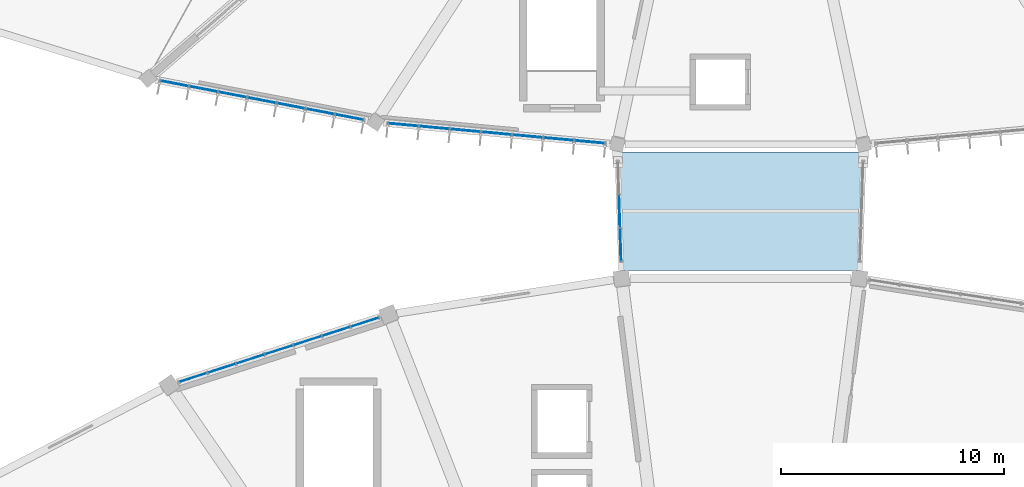
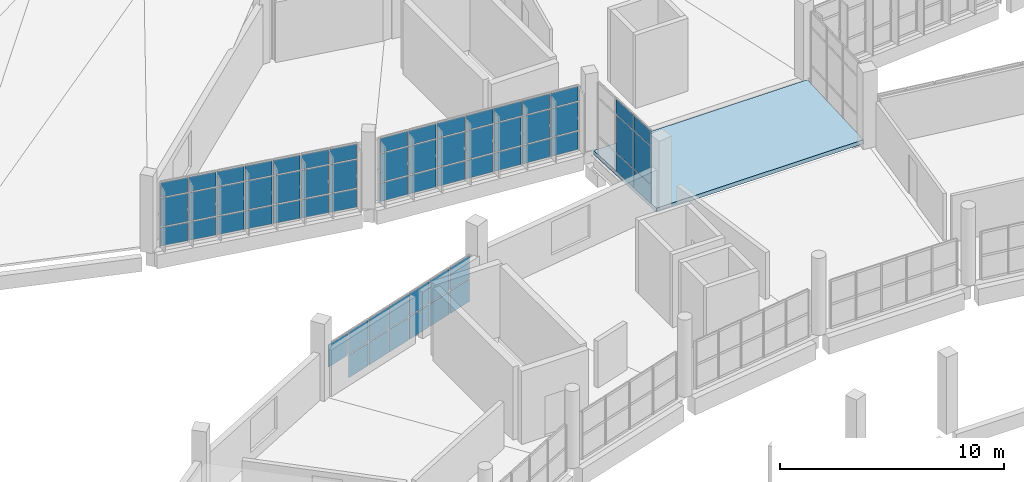
# One storey, part 81 of 142: 61 plates, 1 slab, 4 elements without a shape of their own.
"""IFC4 building model written with IfcOpenShell, lengths in metres."""

from ifc_helpers import new_model, si_unit, direction, frame, origin, origin_2d, place, context, subcontext, project, spatial, polyline, rectangle, outline, extrude, material, layer, layer_set, type_object, element, aggregate, save


model = new_model("IFC4")

# Units and contexts
model_context = context("Model", 3, precision=1e-05, world=origin(), true_north=direction((0.0, 1.0)))
body_context = subcontext(model_context, "Body", "Model", "MODEL_VIEW")
ifc_project = project(units=[si_unit("LENGTHUNIT", "METRE"), si_unit("AREAUNIT", "SQUARE_METRE"), si_unit("VOLUMEUNIT", "CUBIC_METRE"), si_unit("PLANEANGLEUNIT", "RADIAN"), si_unit("MASSUNIT", "GRAM", prefix="KILO")], contexts=[model_context])

# Site, building, storey
site_placement = place(None, origin())
site = spatial("IfcSite", under=ifc_project, at=site_placement, CompositionType="ELEMENT")
building_placement = place(site_placement, origin())
building = spatial("IfcBuilding", under=site, at=building_placement, Name="Corvandel Quay Wholesale Market", CompositionType="ELEMENT")
storey_placement = place(building_placement, frame((0.0, 0.0, 10.800048828125)))
storey = spatial("IfcBuildingStorey", under=building, at=storey_placement, Name="L02", CompositionType="ELEMENT", Elevation=10.800048828125)

# Curtain wall, plates
ifc_material_1 = material(Name="Bronze anodised aluminium and low-E insulated glazing", Category="aluminium")
ifc_layer_1 = layer(ifc_material_1, 0.197998046875)
ifc_layer_set_1 = layer_set([ifc_layer_1], Name="Bronze anodised aluminium and low-E insulated glazing")
curtain_wall_type_1 = type_object("IfcCurtainWallType", Name="Stick Curtain Wall System CW04 H3360", PredefinedType="NOTDEFINED", material=ifc_layer_set_1)
curtain_wall_1_placement = place(storey_placement, origin())
curtain_wall_1 = element("IfcCurtainWall", 1, at=curtain_wall_1_placement, inside=storey, type_object=curtain_wall_type_1, Name="Curtain Wall CW-0110", PredefinedType="NOTDEFINED")
ifc_material_2 = material(Name="Solar-control low-E insulated glazing", Category="glass")
ifc_layer_2 = layer(ifc_material_2, 0.0400390625)
ifc_layer_set_2 = layer_set([ifc_layer_2], Name="Solar-control low-E insulated glazing")
plate_type_1 = type_object("IfcPlateType", Name="Ceramic Fritted Spandrel Panel PN03 40mm", PredefinedType="CURTAIN_PANEL", material=ifc_layer_set_2)
plate_1_placement = place(storey_placement, frame((88.656494140625, 92.731689453125, 2.679931640625), z_axis=(0.0, 0.0, 1.0), x_axis=(-0.981991701121, 0.188924055984, 0.0)))
plate_1 = element("IfcPlate", 2, at=plate_1_placement, type_object=plate_type_1, Name="Glazing Panel CW-0110-P00-2", PredefinedType="CURTAIN_PANEL", context=body_context, shape_type="SweptSolid", body=[
    extrude(rectangle(XDim=1.26318359375, YDim=0.0400390625, at=origin_2d()), origin(), (0.0, 0.0, 1.0), 0.7900390625),
])
plate_2_placement = place(storey_placement, frame((89.960693359375, 92.480712890625, 2.679931640625), z_axis=(0.0, 0.0, 1.0), x_axis=(-0.981991701121, 0.188924055984, 0.0)))
plate_2 = element("IfcPlate", 3, at=plate_2_placement, type_object=plate_type_1, Name="Glazing Panel CW-0110-P01-2", PredefinedType="CURTAIN_PANEL", context=body_context, shape_type="SweptSolid", body=[
    extrude(rectangle(XDim=1.26318359375, YDim=0.0400390625, at=origin_2d()), origin(), (0.0, 0.0, 1.0), 0.7900390625),
])
plate_3_placement = place(storey_placement, frame((91.26513671875, 92.22998046875, 2.679931640625), z_axis=(0.0, 0.0, 1.0), x_axis=(-0.981991701121, 0.188924055984, 0.0)))
plate_3 = element("IfcPlate", 4, at=plate_3_placement, type_object=plate_type_1, Name="Glazing Panel CW-0110-P02-2", PredefinedType="CURTAIN_PANEL", context=body_context, shape_type="SweptSolid", body=[
    extrude(rectangle(XDim=1.26318359375, YDim=0.0400390625, at=origin_2d()), origin(), (0.0, 0.0, 1.0), 0.7900390625),
])
plate_4_placement = place(storey_placement, frame((92.569580078125, 91.97900390625, 2.679931640625), z_axis=(0.0, 0.0, 1.0), x_axis=(-0.981991701121, 0.188924055984, 0.0)))
plate_4 = element("IfcPlate", 5, at=plate_4_placement, type_object=plate_type_1, Name="Glazing Panel CW-0110-P03-2", PredefinedType="CURTAIN_PANEL", context=body_context, shape_type="SweptSolid", body=[
    extrude(rectangle(XDim=1.26318359375, YDim=0.0400390625, at=origin_2d()), origin(), (0.0, 0.0, 1.0), 0.7900390625),
])
plate_5_placement = place(storey_placement, frame((93.873779296875, 91.72802734375, 2.679931640625), z_axis=(0.0, 0.0, 1.0), x_axis=(-0.981991701121, 0.188924055984, 0.0)))
plate_5 = element("IfcPlate", 6, at=plate_5_placement, type_object=plate_type_1, Name="Glazing Panel CW-0110-P04-2", PredefinedType="CURTAIN_PANEL", context=body_context, shape_type="SweptSolid", body=[
    extrude(rectangle(XDim=1.26318359375, YDim=0.0400390625, at=origin_2d()), origin(), (0.0, 0.0, 1.0), 0.7900390625),
])
plate_6_placement = place(storey_placement, frame((95.17822265625, 91.477294921875, 2.679931640625), z_axis=(0.0, 0.0, 1.0), x_axis=(-0.981991701121, 0.188924055984, 0.0)))
plate_6 = element("IfcPlate", 7, at=plate_6_placement, type_object=plate_type_1, Name="Glazing Panel CW-0110-P05-2", PredefinedType="CURTAIN_PANEL", context=body_context, shape_type="SweptSolid", body=[
    extrude(rectangle(XDim=1.26318359375, YDim=0.0400390625, at=origin_2d()), origin(), (0.0, 0.0, 1.0), 0.7900390625),
])
plate_7_placement = place(storey_placement, frame((96.482421875, 91.226318359375, 2.679931640625), z_axis=(0.0, 0.0, 1.0), x_axis=(-0.981991701121, 0.188924055984, 0.0)))
plate_7 = element("IfcPlate", 8, at=plate_7_placement, type_object=plate_type_1, Name="Glazing Panel CW-0110-P06-2", PredefinedType="CURTAIN_PANEL", context=body_context, shape_type="SweptSolid", body=[
    extrude(rectangle(XDim=1.26318359375, YDim=0.0400390625, at=origin_2d()), origin(), (0.0, 0.0, 1.0), 0.7900390625),
])

ifc_layer_3 = layer(ifc_material_1, 0.14990234375)
ifc_layer_set_3 = layer_set([ifc_layer_3], Name="Bronze anodised aluminium and low-E insulated glazing")
curtain_wall_type_2 = type_object("IfcCurtainWallType", Name="Stick Curtain Wall System CW05 H3450", PredefinedType="NOTDEFINED", material=ifc_layer_set_3)
curtain_wall_2_placement = place(storey_placement, origin())
curtain_wall_2 = element("IfcCurtainWall", 9, at=curtain_wall_2_placement, inside=storey, type_object=curtain_wall_type_2, Name="Curtain Wall CW-0113", PredefinedType="NOTDEFINED")
plate_8_placement = place(storey_placement, frame((98.898681640625, 90.885009765625, 2.679931640625), z_axis=(0.0, 0.0, 1.0), x_axis=(-0.995756880939, 0.092023008338, 0.0)))
plate_8 = element("IfcPlate", 10, at=plate_8_placement, type_object=plate_type_1, Name="Glazing Panel CW-0113-P00-2", PredefinedType="CURTAIN_PANEL", context=body_context, shape_type="SweptSolid", body=[
    extrude(rectangle(XDim=1.3330078125, YDim=0.0400390625, at=origin_2d()), origin(), (0.0, 0.0, 1.0), 0.7900390625),
])
plate_9_placement = place(storey_placement, frame((100.29052734375, 90.756591796875, 2.679931640625), z_axis=(0.0, 0.0, 1.0), x_axis=(-0.995756880939, 0.092023008338, 0.0)))
plate_9 = element("IfcPlate", 11, at=plate_9_placement, type_object=plate_type_1, Name="Glazing Panel CW-0113-P01-2", PredefinedType="CURTAIN_PANEL", context=body_context, shape_type="SweptSolid", body=[
    extrude(rectangle(XDim=1.3330078125, YDim=0.0400390625, at=origin_2d()), origin(), (0.0, 0.0, 1.0), 0.7900390625),
])
plate_10_placement = place(storey_placement, frame((101.6826171875, 90.6279296875, 2.679931640625), z_axis=(0.0, 0.0, 1.0), x_axis=(-0.995756880939, 0.092023008338, 0.0)))
plate_10 = element("IfcPlate", 12, at=plate_10_placement, type_object=plate_type_1, Name="Glazing Panel CW-0113-P02-2", PredefinedType="CURTAIN_PANEL", context=body_context, shape_type="SweptSolid", body=[
    extrude(rectangle(XDim=1.3330078125, YDim=0.0400390625, at=origin_2d()), origin(), (0.0, 0.0, 1.0), 0.7900390625),
])
plate_11_placement = place(storey_placement, frame((103.074462890625, 90.49951171875, 2.679931640625), z_axis=(0.0, 0.0, 1.0), x_axis=(-0.995756880939, 0.092023008338, 0.0)))
plate_11 = element("IfcPlate", 13, at=plate_11_placement, type_object=plate_type_1, Name="Glazing Panel CW-0113-P03-2", PredefinedType="CURTAIN_PANEL", context=body_context, shape_type="SweptSolid", body=[
    extrude(rectangle(XDim=1.3330078125, YDim=0.0400390625, at=origin_2d()), origin(), (0.0, 0.0, 1.0), 0.7900390625),
])
plate_12_placement = place(storey_placement, frame((104.46630859375, 90.37109375, 2.679931640625), z_axis=(0.0, 0.0, 1.0), x_axis=(-0.995756880939, 0.092023008338, 0.0)))
plate_12 = element("IfcPlate", 14, at=plate_12_placement, type_object=plate_type_1, Name="Glazing Panel CW-0113-P04-2", PredefinedType="CURTAIN_PANEL", context=body_context, shape_type="SweptSolid", body=[
    extrude(rectangle(XDim=1.3330078125, YDim=0.0400390625, at=origin_2d()), origin(), (0.0, 0.0, 1.0), 0.7900390625),
])
plate_13_placement = place(storey_placement, frame((105.8583984375, 90.242431640625, 2.679931640625), z_axis=(0.0, 0.0, 1.0), x_axis=(-0.995756880939, 0.092023008338, 0.0)))
plate_13 = element("IfcPlate", 15, at=plate_13_placement, type_object=plate_type_1, Name="Glazing Panel CW-0113-P05-2", PredefinedType="CURTAIN_PANEL", context=body_context, shape_type="SweptSolid", body=[
    extrude(rectangle(XDim=1.3330078125, YDim=0.0400390625, at=origin_2d()), origin(), (0.0, 0.0, 1.0), 0.7900390625),
])
plate_14_placement = place(storey_placement, frame((107.250244140625, 90.114013671875, 2.679931640625), z_axis=(0.0, 0.0, 1.0), x_axis=(-0.995756880939, 0.092023008338, 0.0)))
plate_14 = element("IfcPlate", 16, at=plate_14_placement, type_object=plate_type_1, Name="Glazing Panel CW-0113-P06-2", PredefinedType="CURTAIN_PANEL", context=body_context, shape_type="SweptSolid", body=[
    extrude(rectangle(XDim=1.3330078125, YDim=0.0400390625, at=origin_2d()), origin(), (0.0, 0.0, 1.0), 0.7900390625),
])

ifc_layer_4 = layer(ifc_material_1, 0.18603515625)
ifc_layer_set_4 = layer_set([ifc_layer_4], Name="Bronze anodised aluminium and low-E insulated glazing")
curtain_wall_type_3 = type_object("IfcCurtainWallType", Name="Stick Curtain Wall System CW23 H5070", PredefinedType="NOTDEFINED", material=ifc_layer_set_4)
curtain_wall_3_placement = place(storey_placement, origin())
curtain_wall_3 = element("IfcCurtainWall", 17, at=curtain_wall_3_placement, inside=storey, type_object=curtain_wall_type_3, Name="Curtain Wall CW-0170", PredefinedType="NOTDEFINED")
plate_15_placement = place(storey_placement, frame((108.63134765625, 85.513916015625, 3.1474609375), z_axis=(0.0, 0.0, 1.0), x_axis=(-0.032806302436, 0.999461728392, 0.0)))
plate_15 = element("IfcPlate", 18, at=plate_15_placement, type_object=plate_type_1, Name="Glazing Panel CW-0170-P00-2", PredefinedType="CURTAIN_PANEL", context=body_context, shape_type="SweptSolid", body=[
    extrude(rectangle(XDim=1.439453125, YDim=0.0400390625, at=origin_2d()), origin(), (0.0, 0.0, 1.0), 0.794921875),
])
plate_16_placement = place(storey_placement, frame((108.58203125, 87.012451171875, 3.1474609375), z_axis=(0.0, 0.0, 1.0), x_axis=(-0.032806302436, 0.999461728392, 0.0)))
plate_16 = element("IfcPlate", 19, at=plate_16_placement, type_object=plate_type_1, Name="Glazing Panel CW-0170-P01-2", PredefinedType="CURTAIN_PANEL", context=body_context, shape_type="SweptSolid", body=[
    extrude(rectangle(XDim=1.439453125, YDim=0.0400390625, at=origin_2d()), origin(), (0.0, 0.0, 1.0), 0.794921875),
])

# Slab
ifc_material_3 = material(Name="Precast concrete C45/55", Category="concrete")
ifc_layer_5 = layer(ifc_material_3, 0.219970703125)
ifc_layer_set_5 = layer_set([ifc_layer_5], Name="Precast concrete C45/55")
slab_type = type_object("IfcSlabType", Name="Composite Precast Office Floor Slab 220", PredefinedType="FLOOR", material=ifc_layer_set_5)
slab_placement = place(storey_placement, frame((0.0, 0.0, -0.219970703125)))
element("IfcSlab", 20, at=slab_placement, inside=storey, type_object=slab_type, Name="Slab SLB-0476", PredefinedType="FLOOR", context=body_context, shape_type="SweptSolid", body=[
    extrude(outline(polyline([(108.6689453125, 84.364990234375), (108.4951171875, 89.659912109375), (119.5048828125, 89.659912109375), (119.3310546875, 84.364990234375), (108.6689453125, 84.364990234375)])), origin(), (0.0, 0.0, 1.0), 0.219970703125),
])

# Curtain wall, plates
ifc_layer_6 = layer(ifc_material_1, 0.18603515625)
ifc_layer_set_6 = layer_set([ifc_layer_6], Name="Bronze anodised aluminium and low-E insulated glazing")
curtain_wall_type_4 = type_object("IfcCurtainWallType", Name="Stick Curtain Wall System CW18 H4620", PredefinedType="NOTDEFINED", material=ifc_layer_set_6)
curtain_wall_4_placement = place(storey_placement, origin())
curtain_wall_4 = element("IfcCurtainWall", 21, at=curtain_wall_4_placement, inside=storey, type_object=curtain_wall_type_4, Name="Curtain Wall CW-0027", PredefinedType="NOTDEFINED")
ifc_layer_7 = layer(ifc_material_2, 0.028076171875)
ifc_layer_set_7 = layer_set([ifc_layer_7], Name="Solar-control low-E insulated glazing")
plate_type_2 = type_object("IfcPlateType", Name="Double Low-E Vision Panel PN01 28mm", PredefinedType="CURTAIN_PANEL", material=ifc_layer_set_7)
plate_17_placement = place(storey_placement, frame((97.179931640625, 82.04150390625, 0.02978515625), z_axis=(0.0, 0.0, 1.0), x_axis=(0.951808747363, 0.306692204733, 0.0)))
plate_17 = element("IfcPlate", 22, at=plate_17_placement, type_object=plate_type_2, Name="Glazing Panel CW-0027-P00-0", PredefinedType="CURTAIN_PANEL", context=body_context, shape_type="SweptSolid", body=[
    extrude(rectangle(XDim=1.281494140625, YDim=0.028076171875, at=origin_2d()), origin(), (0.0, 0.0, 1.0), 1.215087890625),
])
plate_18_placement = place(storey_placement, frame((97.179931640625, 82.04150390625, 1.3046875), z_axis=(0.0, 0.0, 1.0), x_axis=(0.951808747363, 0.306692204733, 0.0)))
plate_18 = element("IfcPlate", 23, at=plate_18_placement, type_object=plate_type_2, Name="Glazing Panel CW-0027-P00-1", PredefinedType="CURTAIN_PANEL", context=body_context, shape_type="SweptSolid", body=[
    extrude(rectangle(XDim=1.281494140625, YDim=0.028076171875, at=origin_2d()), origin(), (0.0, 0.0, 1.0), 1.215087890625),
])
plate_19_placement = place(storey_placement, frame((95.898193359375, 81.628662109375, 0.02978515625), z_axis=(0.0, 0.0, 1.0), x_axis=(0.951808747363, 0.306692204733, 0.0)))
plate_19 = element("IfcPlate", 24, at=plate_19_placement, type_object=plate_type_2, Name="Glazing Panel CW-0027-P01-0", PredefinedType="CURTAIN_PANEL", context=body_context, shape_type="SweptSolid", body=[
    extrude(rectangle(XDim=1.281494140625, YDim=0.028076171875, at=origin_2d()), origin(), (0.0, 0.0, 1.0), 1.215087890625),
])
plate_20_placement = place(storey_placement, frame((95.898193359375, 81.628662109375, 1.3046875), z_axis=(0.0, 0.0, 1.0), x_axis=(0.951808747363, 0.306692204733, 0.0)))
plate_20 = element("IfcPlate", 25, at=plate_20_placement, type_object=plate_type_2, Name="Glazing Panel CW-0027-P01-1", PredefinedType="CURTAIN_PANEL", context=body_context, shape_type="SweptSolid", body=[
    extrude(rectangle(XDim=1.281494140625, YDim=0.028076171875, at=origin_2d()), origin(), (0.0, 0.0, 1.0), 1.215087890625),
])
plate_21_placement = place(storey_placement, frame((94.61669921875, 81.2158203125, 0.02978515625), z_axis=(0.0, 0.0, 1.0), x_axis=(0.951808747363, 0.306692204733, 0.0)))
plate_21 = element("IfcPlate", 26, at=plate_21_placement, type_object=plate_type_2, Name="Glazing Panel CW-0027-P02-0", PredefinedType="CURTAIN_PANEL", context=body_context, shape_type="SweptSolid", body=[
    extrude(rectangle(XDim=1.281494140625, YDim=0.028076171875, at=origin_2d()), origin(), (0.0, 0.0, 1.0), 1.215087890625),
])
plate_22_placement = place(storey_placement, frame((94.61669921875, 81.2158203125, 1.3046875), z_axis=(0.0, 0.0, 1.0), x_axis=(0.951808747363, 0.306692204733, 0.0)))
plate_22 = element("IfcPlate", 27, at=plate_22_placement, type_object=plate_type_2, Name="Glazing Panel CW-0027-P02-1", PredefinedType="CURTAIN_PANEL", context=body_context, shape_type="SweptSolid", body=[
    extrude(rectangle(XDim=1.281494140625, YDim=0.028076171875, at=origin_2d()), origin(), (0.0, 0.0, 1.0), 1.215087890625),
])
plate_23_placement = place(storey_placement, frame((93.3349609375, 80.802978515625, 0.02978515625), z_axis=(0.0, 0.0, 1.0), x_axis=(0.951808747363, 0.306692204733, 0.0)))
plate_23 = element("IfcPlate", 28, at=plate_23_placement, type_object=plate_type_2, Name="Glazing Panel CW-0027-P03-0", PredefinedType="CURTAIN_PANEL", context=body_context, shape_type="SweptSolid", body=[
    extrude(rectangle(XDim=1.281494140625, YDim=0.028076171875, at=origin_2d()), origin(), (0.0, 0.0, 1.0), 1.215087890625),
])
plate_24_placement = place(storey_placement, frame((93.3349609375, 80.802978515625, 1.3046875), z_axis=(0.0, 0.0, 1.0), x_axis=(0.951808747363, 0.306692204733, 0.0)))
plate_24 = element("IfcPlate", 29, at=plate_24_placement, type_object=plate_type_2, Name="Glazing Panel CW-0027-P03-1", PredefinedType="CURTAIN_PANEL", context=body_context, shape_type="SweptSolid", body=[
    extrude(rectangle(XDim=1.281494140625, YDim=0.028076171875, at=origin_2d()), origin(), (0.0, 0.0, 1.0), 1.215087890625),
])
plate_25_placement = place(storey_placement, frame((92.053466796875, 80.39013671875, 0.02978515625), z_axis=(0.0, 0.0, 1.0), x_axis=(0.951808747363, 0.306692204733, 0.0)))
plate_25 = element("IfcPlate", 30, at=plate_25_placement, type_object=plate_type_2, Name="Glazing Panel CW-0027-P04-0", PredefinedType="CURTAIN_PANEL", context=body_context, shape_type="SweptSolid", body=[
    extrude(rectangle(XDim=1.281494140625, YDim=0.028076171875, at=origin_2d()), origin(), (0.0, 0.0, 1.0), 1.215087890625),
])
plate_26_placement = place(storey_placement, frame((92.053466796875, 80.39013671875, 1.3046875), z_axis=(0.0, 0.0, 1.0), x_axis=(0.951808747363, 0.306692204733, 0.0)))
plate_26 = element("IfcPlate", 31, at=plate_26_placement, type_object=plate_type_2, Name="Glazing Panel CW-0027-P04-1", PredefinedType="CURTAIN_PANEL", context=body_context, shape_type="SweptSolid", body=[
    extrude(rectangle(XDim=1.281494140625, YDim=0.028076171875, at=origin_2d()), origin(), (0.0, 0.0, 1.0), 1.215087890625),
])
plate_27_placement = place(storey_placement, frame((90.771728515625, 79.977294921875, 0.02978515625), z_axis=(0.0, 0.0, 1.0), x_axis=(0.951808747363, 0.306692204733, 0.0)))
plate_27 = element("IfcPlate", 32, at=plate_27_placement, type_object=plate_type_2, Name="Glazing Panel CW-0027-P05-0", PredefinedType="CURTAIN_PANEL", context=body_context, shape_type="SweptSolid", body=[
    extrude(rectangle(XDim=1.281494140625, YDim=0.028076171875, at=origin_2d()), origin(), (0.0, 0.0, 1.0), 1.215087890625),
])
plate_28_placement = place(storey_placement, frame((90.771728515625, 79.977294921875, 1.3046875), z_axis=(0.0, 0.0, 1.0), x_axis=(0.951808747363, 0.306692204733, 0.0)))
plate_28 = element("IfcPlate", 33, at=plate_28_placement, type_object=plate_type_2, Name="Glazing Panel CW-0027-P05-1", PredefinedType="CURTAIN_PANEL", context=body_context, shape_type="SweptSolid", body=[
    extrude(rectangle(XDim=1.281494140625, YDim=0.028076171875, at=origin_2d()), origin(), (0.0, 0.0, 1.0), 1.215087890625),
])
plate_29_placement = place(storey_placement, frame((89.489990234375, 79.564453125, 1.3046875), z_axis=(0.0, 0.0, 1.0), x_axis=(0.951808747363, 0.306692204733, 0.0)))
plate_29 = element("IfcPlate", 34, at=plate_29_placement, type_object=plate_type_2, Name="Glazing Panel CW-0027-P06-1", PredefinedType="CURTAIN_PANEL", context=body_context, shape_type="SweptSolid", body=[
    extrude(rectangle(XDim=1.281494140625, YDim=0.028076171875, at=origin_2d()), origin(), (0.0, 0.0, 1.0), 1.215087890625),
])
aggregate(curtain_wall_4, [plate_17, plate_18, plate_19, plate_20, plate_21, plate_22, plate_23, plate_24, plate_25, plate_26, plate_27, plate_28, plate_29])

# Plate
plate_30_placement = place(storey_placement, frame((88.656494140625, 92.731689453125, 0.02978515625), z_axis=(0.0, 0.0, 1.0), x_axis=(-0.981991701121, 0.188924055984, 0.0)))
plate_30 = element("IfcPlate", 35, at=plate_30_placement, type_object=plate_type_2, Name="Glazing Panel CW-0110-P00-0", PredefinedType="CURTAIN_PANEL", context=body_context, shape_type="SweptSolid", body=[
    extrude(rectangle(XDim=1.26318359375, YDim=0.028076171875, at=origin_2d()), origin(), (0.0, 0.0, 1.0), 0.989990234375),
])

plate_31_placement = place(storey_placement, frame((88.656494140625, 92.731689453125, 1.079833984375), z_axis=(0.0, 0.0, 1.0), x_axis=(-0.981991701121, 0.188924055984, 0.0)))
plate_31 = element("IfcPlate", 36, at=plate_31_placement, type_object=plate_type_2, Name="Glazing Panel CW-0110-P00-1", PredefinedType="CURTAIN_PANEL", context=body_context, shape_type="SweptSolid", body=[
    extrude(rectangle(XDim=1.26318359375, YDim=0.028076171875, at=origin_2d()), origin(), (0.0, 0.0, 1.0), 1.5400390625),
])

plate_32_placement = place(storey_placement, frame((89.960693359375, 92.480712890625, 0.02978515625), z_axis=(0.0, 0.0, 1.0), x_axis=(-0.981991701121, 0.188924055984, 0.0)))
plate_32 = element("IfcPlate", 37, at=plate_32_placement, type_object=plate_type_2, Name="Glazing Panel CW-0110-P01-0", PredefinedType="CURTAIN_PANEL", context=body_context, shape_type="SweptSolid", body=[
    extrude(rectangle(XDim=1.26318359375, YDim=0.028076171875, at=origin_2d()), origin(), (0.0, 0.0, 1.0), 0.989990234375),
])

plate_33_placement = place(storey_placement, frame((89.960693359375, 92.480712890625, 1.079833984375), z_axis=(0.0, 0.0, 1.0), x_axis=(-0.981991701121, 0.188924055984, 0.0)))
plate_33 = element("IfcPlate", 38, at=plate_33_placement, type_object=plate_type_2, Name="Glazing Panel CW-0110-P01-1", PredefinedType="CURTAIN_PANEL", context=body_context, shape_type="SweptSolid", body=[
    extrude(rectangle(XDim=1.26318359375, YDim=0.028076171875, at=origin_2d()), origin(), (0.0, 0.0, 1.0), 1.5400390625),
])

plate_34_placement = place(storey_placement, frame((91.26513671875, 92.22998046875, 0.02978515625), z_axis=(0.0, 0.0, 1.0), x_axis=(-0.981991701121, 0.188924055984, 0.0)))
plate_34 = element("IfcPlate", 39, at=plate_34_placement, type_object=plate_type_2, Name="Glazing Panel CW-0110-P02-0", PredefinedType="CURTAIN_PANEL", context=body_context, shape_type="SweptSolid", body=[
    extrude(rectangle(XDim=1.26318359375, YDim=0.028076171875, at=origin_2d()), origin(), (0.0, 0.0, 1.0), 0.989990234375),
])

plate_35_placement = place(storey_placement, frame((91.26513671875, 92.22998046875, 1.079833984375), z_axis=(0.0, 0.0, 1.0), x_axis=(-0.981991701121, 0.188924055984, 0.0)))
plate_35 = element("IfcPlate", 40, at=plate_35_placement, type_object=plate_type_2, Name="Glazing Panel CW-0110-P02-1", PredefinedType="CURTAIN_PANEL", context=body_context, shape_type="SweptSolid", body=[
    extrude(rectangle(XDim=1.26318359375, YDim=0.028076171875, at=origin_2d()), origin(), (0.0, 0.0, 1.0), 1.5400390625),
])

plate_36_placement = place(storey_placement, frame((92.569580078125, 91.97900390625, 0.02978515625), z_axis=(0.0, 0.0, 1.0), x_axis=(-0.981991701121, 0.188924055984, 0.0)))
plate_36 = element("IfcPlate", 41, at=plate_36_placement, type_object=plate_type_2, Name="Glazing Panel CW-0110-P03-0", PredefinedType="CURTAIN_PANEL", context=body_context, shape_type="SweptSolid", body=[
    extrude(rectangle(XDim=1.26318359375, YDim=0.028076171875, at=origin_2d()), origin(), (0.0, 0.0, 1.0), 0.989990234375),
])

plate_37_placement = place(storey_placement, frame((92.569580078125, 91.97900390625, 1.079833984375), z_axis=(0.0, 0.0, 1.0), x_axis=(-0.981991701121, 0.188924055984, 0.0)))
plate_37 = element("IfcPlate", 42, at=plate_37_placement, type_object=plate_type_2, Name="Glazing Panel CW-0110-P03-1", PredefinedType="CURTAIN_PANEL", context=body_context, shape_type="SweptSolid", body=[
    extrude(rectangle(XDim=1.26318359375, YDim=0.028076171875, at=origin_2d()), origin(), (0.0, 0.0, 1.0), 1.5400390625),
])

plate_38_placement = place(storey_placement, frame((93.873779296875, 91.72802734375, 0.02978515625), z_axis=(0.0, 0.0, 1.0), x_axis=(-0.981991701121, 0.188924055984, 0.0)))
plate_38 = element("IfcPlate", 43, at=plate_38_placement, type_object=plate_type_2, Name="Glazing Panel CW-0110-P04-0", PredefinedType="CURTAIN_PANEL", context=body_context, shape_type="SweptSolid", body=[
    extrude(rectangle(XDim=1.26318359375, YDim=0.028076171875, at=origin_2d()), origin(), (0.0, 0.0, 1.0), 0.989990234375),
])

plate_39_placement = place(storey_placement, frame((93.873779296875, 91.72802734375, 1.079833984375), z_axis=(0.0, 0.0, 1.0), x_axis=(-0.981991701121, 0.188924055984, 0.0)))
plate_39 = element("IfcPlate", 44, at=plate_39_placement, type_object=plate_type_2, Name="Glazing Panel CW-0110-P04-1", PredefinedType="CURTAIN_PANEL", context=body_context, shape_type="SweptSolid", body=[
    extrude(rectangle(XDim=1.26318359375, YDim=0.028076171875, at=origin_2d()), origin(), (0.0, 0.0, 1.0), 1.5400390625),
])

plate_40_placement = place(storey_placement, frame((95.17822265625, 91.477294921875, 0.02978515625), z_axis=(0.0, 0.0, 1.0), x_axis=(-0.981991701121, 0.188924055984, 0.0)))
plate_40 = element("IfcPlate", 45, at=plate_40_placement, type_object=plate_type_2, Name="Glazing Panel CW-0110-P05-0", PredefinedType="CURTAIN_PANEL", context=body_context, shape_type="SweptSolid", body=[
    extrude(rectangle(XDim=1.26318359375, YDim=0.028076171875, at=origin_2d()), origin(), (0.0, 0.0, 1.0), 0.989990234375),
])

plate_41_placement = place(storey_placement, frame((95.17822265625, 91.477294921875, 1.079833984375), z_axis=(0.0, 0.0, 1.0), x_axis=(-0.981991701121, 0.188924055984, 0.0)))
plate_41 = element("IfcPlate", 46, at=plate_41_placement, type_object=plate_type_2, Name="Glazing Panel CW-0110-P05-1", PredefinedType="CURTAIN_PANEL", context=body_context, shape_type="SweptSolid", body=[
    extrude(rectangle(XDim=1.26318359375, YDim=0.028076171875, at=origin_2d()), origin(), (0.0, 0.0, 1.0), 1.5400390625),
])

plate_42_placement = place(storey_placement, frame((96.482421875, 91.226318359375, 0.02978515625), z_axis=(0.0, 0.0, 1.0), x_axis=(-0.981991701121, 0.188924055984, 0.0)))
plate_42 = element("IfcPlate", 47, at=plate_42_placement, type_object=plate_type_2, Name="Glazing Panel CW-0110-P06-0", PredefinedType="CURTAIN_PANEL", context=body_context, shape_type="SweptSolid", body=[
    extrude(rectangle(XDim=1.26318359375, YDim=0.028076171875, at=origin_2d()), origin(), (0.0, 0.0, 1.0), 0.989990234375),
])

plate_43_placement = place(storey_placement, frame((96.482421875, 91.226318359375, 1.079833984375), z_axis=(0.0, 0.0, 1.0), x_axis=(-0.981991701121, 0.188924055984, 0.0)))
plate_43 = element("IfcPlate", 48, at=plate_43_placement, type_object=plate_type_2, Name="Glazing Panel CW-0110-P06-1", PredefinedType="CURTAIN_PANEL", context=body_context, shape_type="SweptSolid", body=[
    extrude(rectangle(XDim=1.26318359375, YDim=0.028076171875, at=origin_2d()), origin(), (0.0, 0.0, 1.0), 1.5400390625),
])

aggregate(curtain_wall_1, [plate_30, plate_31, plate_1, plate_32, plate_33, plate_2, plate_34, plate_35, plate_3, plate_36, plate_37, plate_4, plate_38, plate_39, plate_5, plate_40, plate_41, plate_6, plate_42, plate_43, plate_7])

plate_44_placement = place(storey_placement, frame((98.898681640625, 90.885009765625, 0.02978515625), z_axis=(0.0, 0.0, 1.0), x_axis=(-0.995756880939, 0.092023008338, 0.0)))
plate_44 = element("IfcPlate", 49, at=plate_44_placement, type_object=plate_type_2, Name="Glazing Panel CW-0113-P00-0", PredefinedType="CURTAIN_PANEL", context=body_context, shape_type="SweptSolid", body=[
    extrude(rectangle(XDim=1.3330078125, YDim=0.028076171875, at=origin_2d()), origin(), (0.0, 0.0, 1.0), 0.989990234375),
])

plate_45_placement = place(storey_placement, frame((98.898681640625, 90.885009765625, 1.079833984375), z_axis=(0.0, 0.0, 1.0), x_axis=(-0.995756880939, 0.092023008338, 0.0)))
plate_45 = element("IfcPlate", 50, at=plate_45_placement, type_object=plate_type_2, Name="Glazing Panel CW-0113-P00-1", PredefinedType="CURTAIN_PANEL", context=body_context, shape_type="SweptSolid", body=[
    extrude(rectangle(XDim=1.3330078125, YDim=0.028076171875, at=origin_2d()), origin(), (0.0, 0.0, 1.0), 1.5400390625),
])

plate_46_placement = place(storey_placement, frame((100.29052734375, 90.756591796875, 0.02978515625), z_axis=(0.0, 0.0, 1.0), x_axis=(-0.995756880939, 0.092023008338, 0.0)))
plate_46 = element("IfcPlate", 51, at=plate_46_placement, type_object=plate_type_2, Name="Glazing Panel CW-0113-P01-0", PredefinedType="CURTAIN_PANEL", context=body_context, shape_type="SweptSolid", body=[
    extrude(rectangle(XDim=1.3330078125, YDim=0.028076171875, at=origin_2d()), origin(), (0.0, 0.0, 1.0), 0.989990234375),
])

plate_47_placement = place(storey_placement, frame((100.29052734375, 90.756591796875, 1.079833984375), z_axis=(0.0, 0.0, 1.0), x_axis=(-0.995756880939, 0.092023008338, 0.0)))
plate_47 = element("IfcPlate", 52, at=plate_47_placement, type_object=plate_type_2, Name="Glazing Panel CW-0113-P01-1", PredefinedType="CURTAIN_PANEL", context=body_context, shape_type="SweptSolid", body=[
    extrude(rectangle(XDim=1.3330078125, YDim=0.028076171875, at=origin_2d()), origin(), (0.0, 0.0, 1.0), 1.5400390625),
])

plate_48_placement = place(storey_placement, frame((101.6826171875, 90.6279296875, 0.02978515625), z_axis=(0.0, 0.0, 1.0), x_axis=(-0.995756880939, 0.092023008338, 0.0)))
plate_48 = element("IfcPlate", 53, at=plate_48_placement, type_object=plate_type_2, Name="Glazing Panel CW-0113-P02-0", PredefinedType="CURTAIN_PANEL", context=body_context, shape_type="SweptSolid", body=[
    extrude(rectangle(XDim=1.3330078125, YDim=0.028076171875, at=origin_2d()), origin(), (0.0, 0.0, 1.0), 0.989990234375),
])

plate_49_placement = place(storey_placement, frame((101.6826171875, 90.6279296875, 1.079833984375), z_axis=(0.0, 0.0, 1.0), x_axis=(-0.995756880939, 0.092023008338, 0.0)))
plate_49 = element("IfcPlate", 54, at=plate_49_placement, type_object=plate_type_2, Name="Glazing Panel CW-0113-P02-1", PredefinedType="CURTAIN_PANEL", context=body_context, shape_type="SweptSolid", body=[
    extrude(rectangle(XDim=1.3330078125, YDim=0.028076171875, at=origin_2d()), origin(), (0.0, 0.0, 1.0), 1.5400390625),
])

plate_50_placement = place(storey_placement, frame((103.074462890625, 90.49951171875, 0.02978515625), z_axis=(0.0, 0.0, 1.0), x_axis=(-0.995756880939, 0.092023008338, 0.0)))
plate_50 = element("IfcPlate", 55, at=plate_50_placement, type_object=plate_type_2, Name="Glazing Panel CW-0113-P03-0", PredefinedType="CURTAIN_PANEL", context=body_context, shape_type="SweptSolid", body=[
    extrude(rectangle(XDim=1.3330078125, YDim=0.028076171875, at=origin_2d()), origin(), (0.0, 0.0, 1.0), 0.989990234375),
])

plate_51_placement = place(storey_placement, frame((103.074462890625, 90.49951171875, 1.079833984375), z_axis=(0.0, 0.0, 1.0), x_axis=(-0.995756880939, 0.092023008338, 0.0)))
plate_51 = element("IfcPlate", 56, at=plate_51_placement, type_object=plate_type_2, Name="Glazing Panel CW-0113-P03-1", PredefinedType="CURTAIN_PANEL", context=body_context, shape_type="SweptSolid", body=[
    extrude(rectangle(XDim=1.3330078125, YDim=0.028076171875, at=origin_2d()), origin(), (0.0, 0.0, 1.0), 1.5400390625),
])

plate_52_placement = place(storey_placement, frame((104.46630859375, 90.37109375, 0.02978515625), z_axis=(0.0, 0.0, 1.0), x_axis=(-0.995756880939, 0.092023008338, 0.0)))
plate_52 = element("IfcPlate", 57, at=plate_52_placement, type_object=plate_type_2, Name="Glazing Panel CW-0113-P04-0", PredefinedType="CURTAIN_PANEL", context=body_context, shape_type="SweptSolid", body=[
    extrude(rectangle(XDim=1.3330078125, YDim=0.028076171875, at=origin_2d()), origin(), (0.0, 0.0, 1.0), 0.989990234375),
])

plate_53_placement = place(storey_placement, frame((104.46630859375, 90.37109375, 1.079833984375), z_axis=(0.0, 0.0, 1.0), x_axis=(-0.995756880939, 0.092023008338, 0.0)))
plate_53 = element("IfcPlate", 58, at=plate_53_placement, type_object=plate_type_2, Name="Glazing Panel CW-0113-P04-1", PredefinedType="CURTAIN_PANEL", context=body_context, shape_type="SweptSolid", body=[
    extrude(rectangle(XDim=1.3330078125, YDim=0.028076171875, at=origin_2d()), origin(), (0.0, 0.0, 1.0), 1.5400390625),
])

plate_54_placement = place(storey_placement, frame((105.8583984375, 90.242431640625, 0.02978515625), z_axis=(0.0, 0.0, 1.0), x_axis=(-0.995756880939, 0.092023008338, 0.0)))
plate_54 = element("IfcPlate", 59, at=plate_54_placement, type_object=plate_type_2, Name="Glazing Panel CW-0113-P05-0", PredefinedType="CURTAIN_PANEL", context=body_context, shape_type="SweptSolid", body=[
    extrude(rectangle(XDim=1.3330078125, YDim=0.028076171875, at=origin_2d()), origin(), (0.0, 0.0, 1.0), 0.989990234375),
])

plate_55_placement = place(storey_placement, frame((105.8583984375, 90.242431640625, 1.079833984375), z_axis=(0.0, 0.0, 1.0), x_axis=(-0.995756880939, 0.092023008338, 0.0)))
plate_55 = element("IfcPlate", 60, at=plate_55_placement, type_object=plate_type_2, Name="Glazing Panel CW-0113-P05-1", PredefinedType="CURTAIN_PANEL", context=body_context, shape_type="SweptSolid", body=[
    extrude(rectangle(XDim=1.3330078125, YDim=0.028076171875, at=origin_2d()), origin(), (0.0, 0.0, 1.0), 1.5400390625),
])

plate_56_placement = place(storey_placement, frame((107.250244140625, 90.114013671875, 0.02978515625), z_axis=(0.0, 0.0, 1.0), x_axis=(-0.995756880939, 0.092023008338, 0.0)))
plate_56 = element("IfcPlate", 61, at=plate_56_placement, type_object=plate_type_2, Name="Glazing Panel CW-0113-P06-0", PredefinedType="CURTAIN_PANEL", context=body_context, shape_type="SweptSolid", body=[
    extrude(rectangle(XDim=1.3330078125, YDim=0.028076171875, at=origin_2d()), origin(), (0.0, 0.0, 1.0), 0.989990234375),
])

plate_57_placement = place(storey_placement, frame((107.250244140625, 90.114013671875, 1.079833984375), z_axis=(0.0, 0.0, 1.0), x_axis=(-0.995756880939, 0.092023008338, 0.0)))
plate_57 = element("IfcPlate", 62, at=plate_57_placement, type_object=plate_type_2, Name="Glazing Panel CW-0113-P06-1", PredefinedType="CURTAIN_PANEL", context=body_context, shape_type="SweptSolid", body=[
    extrude(rectangle(XDim=1.3330078125, YDim=0.028076171875, at=origin_2d()), origin(), (0.0, 0.0, 1.0), 1.5400390625),
])

aggregate(curtain_wall_2, [plate_44, plate_45, plate_8, plate_46, plate_47, plate_9, plate_48, plate_49, plate_10, plate_50, plate_51, plate_11, plate_52, plate_53, plate_12, plate_54, plate_55, plate_13, plate_56, plate_57, plate_14])

plate_58_placement = place(storey_placement, frame((108.63134765625, 85.513916015625, -0.002685546875), z_axis=(0.0, 0.0, 1.0), x_axis=(-0.032806302436, 0.999461728392, 0.0)))
plate_58 = element("IfcPlate", 63, at=plate_58_placement, type_object=plate_type_2, Name="Glazing Panel CW-0170-P00-0", PredefinedType="CURTAIN_PANEL", context=body_context, shape_type="SweptSolid", body=[
    extrude(rectangle(XDim=1.439453125, YDim=0.028076171875, at=origin_2d()), origin(), (0.0, 0.0, 1.0), 0.9951171875),
])

plate_59_placement = place(storey_placement, frame((108.63134765625, 85.513916015625, 1.047607421875), z_axis=(0.0, 0.0, 1.0), x_axis=(-0.032806302436, 0.999461728392, 0.0)))
plate_59 = element("IfcPlate", 64, at=plate_59_placement, type_object=plate_type_2, Name="Glazing Panel CW-0170-P00-1", PredefinedType="CURTAIN_PANEL", context=body_context, shape_type="SweptSolid", body=[
    extrude(rectangle(XDim=1.439453125, YDim=0.028076171875, at=origin_2d()), origin(), (0.0, 0.0, 1.0), 2.044921875),
])

plate_60_placement = place(storey_placement, frame((108.58203125, 87.012451171875, -0.002685546875), z_axis=(0.0, 0.0, 1.0), x_axis=(-0.032806302436, 0.999461728392, 0.0)))
plate_60 = element("IfcPlate", 65, at=plate_60_placement, type_object=plate_type_2, Name="Glazing Panel CW-0170-P01-0", PredefinedType="CURTAIN_PANEL", context=body_context, shape_type="SweptSolid", body=[
    extrude(rectangle(XDim=1.439453125, YDim=0.028076171875, at=origin_2d()), origin(), (0.0, 0.0, 1.0), 0.9951171875),
])

plate_61_placement = place(storey_placement, frame((108.58203125, 87.012451171875, 1.047607421875), z_axis=(0.0, 0.0, 1.0), x_axis=(-0.032806302436, 0.999461728392, 0.0)))
plate_61 = element("IfcPlate", 66, at=plate_61_placement, type_object=plate_type_2, Name="Glazing Panel CW-0170-P01-1", PredefinedType="CURTAIN_PANEL", context=body_context, shape_type="SweptSolid", body=[
    extrude(rectangle(XDim=1.439453125, YDim=0.028076171875, at=origin_2d()), origin(), (0.0, 0.0, 1.0), 2.044921875),
])

aggregate(curtain_wall_3, [plate_58, plate_59, plate_15, plate_60, plate_61, plate_16])

save(model, "model.ifc")
